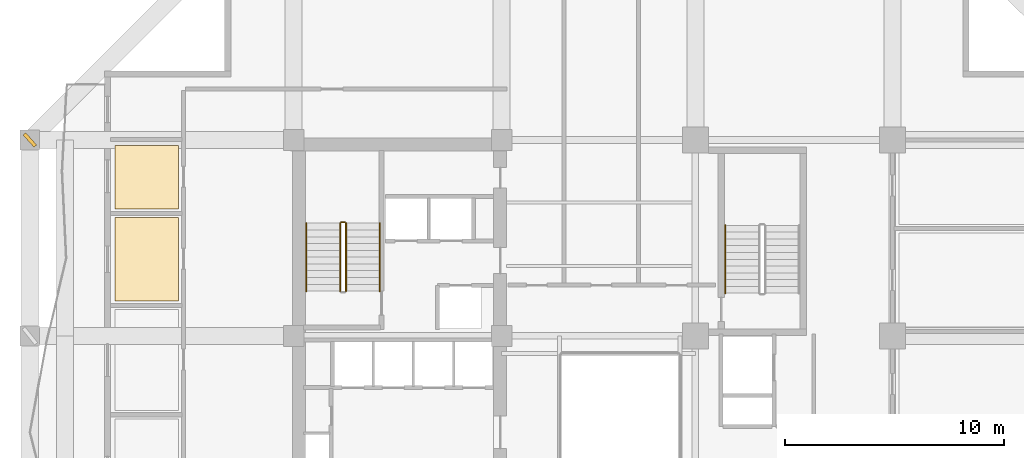
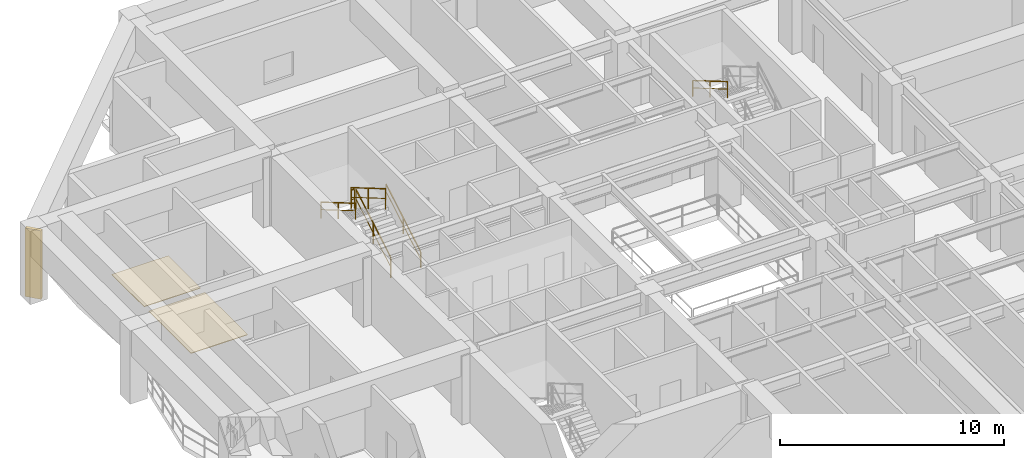
# One storey, part 11 of 13: 6 railings, 2 coverings, 1 shading device.
"""IFC4 building model written with IfcOpenShell, lengths in metres."""

from ifc_helpers import new_model, si_unit, direction, frame, origin, origin_2d, place, context, subcontext, project, spatial, polyline, rectangle, outline, extrude, material, layer, layer_set, type_object, element, save


model = new_model("IFC4")

# Units and contexts
model_context = context("Model", 3, precision=1e-05, world=origin(), true_north=direction((0.0, 1.0)))
body_context = subcontext(model_context, "Body", "Model", "MODEL_VIEW")
ifc_project = project(units=[si_unit("LENGTHUNIT", "METRE"), si_unit("AREAUNIT", "SQUARE_METRE"), si_unit("VOLUMEUNIT", "CUBIC_METRE"), si_unit("PLANEANGLEUNIT", "RADIAN"), si_unit("MASSUNIT", "GRAM", prefix="KILO")], contexts=[model_context])

# Site, building, storey
site_placement = place(None, origin())
site = spatial("IfcSite", under=ifc_project, at=site_placement, CompositionType="ELEMENT")
building_placement = place(site_placement, origin())
building = spatial("IfcBuilding", under=site, at=building_placement, Name="Kundavana Baori Tower", CompositionType="ELEMENT")
storey_placement = place(building_placement, frame((0.0, 0.0, 78.0)))
storey = spatial("IfcBuildingStorey", under=building, at=storey_placement, Name="L18", CompositionType="ELEMENT", Elevation=78.0)

# Coverings
ifc_material_1 = material(Name="Honed Kota Stone and Terrazzo Flooring", Category="masonry")
ifc_layer = layer(ifc_material_1, 0.030029296875, Name="COV-INT-FLR")
ifc_layer_set = layer_set([ifc_layer], Name="Honed Kota Stone and Terrazzo Flooring")
covering_type = type_object("IfcCoveringType", Name="COV-INT-FLR", PredefinedType="FLOORING", material=ifc_layer_set)
covering_1_placement = place(storey_placement, origin())
element("IfcCovering", 1, at=covering_1_placement, inside=storey, type_object=covering_type, Name="L18 Room Finished Stone Flooring 5", PredefinedType="FLOORING", context=body_context, shape_type="SweptSolid", body=[
    extrude(outline(polyline([(7.280029296875, 34.60009765625), (10.199951171875, 34.60009765625), (10.199951171875, 38.39990234375), (7.280029296875, 38.39990234375), (7.280029296875, 34.60009765625)])), origin(), (0.0, 0.0, 1.0), 0.030029296875),
])
covering_2_placement = place(storey_placement, origin())
element("IfcCovering", 2, at=covering_2_placement, inside=storey, type_object=covering_type, Name="L18 Room Finished Stone Flooring 6", PredefinedType="FLOORING", context=body_context, shape_type="SweptSolid", body=[
    extrude(outline(polyline([(7.280029296875, 38.800048828125), (10.199951171875, 38.800048828125), (10.199951171875, 41.699951171875), (7.280029296875, 41.699951171875), (7.280029296875, 38.800048828125)])), origin(), (0.0, 0.0, 1.0), 0.030029296875),
])

# Railings
ifc_material_2 = material(Name="Architectural Patinated Bronze Metalwork")
railing_type_1 = type_object("IfcRailingType", Name="RL-GRD-1150", PredefinedType="GUARDRAIL", material=ifc_material_2)
railing_1_placement = place(storey_placement, frame((17.840087890625, 35.050048828125, 0.181884765625)))
element("IfcRailing", 3, at=railing_1_placement, inside=storey, type_object=railing_type_1, Name="L18 ST2 stair guard 1", PredefinedType="GUARDRAIL", context=body_context, shape_type="SweptSolid", body=[
    extrude(rectangle(XDim=0.048095703125, YDim=0.048095703125, at=origin_2d()), frame((0.0, 0.0, 1.1259765625), z_axis=(0.0, 0.86258143422, 0.50591824373), x_axis=(-1.0, 0.0, 0.0)), (0.0, 0.0, 1.0), 3.59375),
    extrude(rectangle(XDim=0.03125, YDim=0.03125, at=origin_2d()), frame((0.0, 0.0, 0.597900390625), z_axis=(0.0, 0.86258143422, 0.50591824373), x_axis=(-1.0, 0.0, 0.0)), (0.0, 0.0, 1.0), 3.59375),
    extrude(rectangle(XDim=0.0419921875, YDim=0.0419921875, at=origin_2d()), origin(), (0.0, 0.0, 1.0), 1.101806640625),
    extrude(rectangle(XDim=0.0419921875, YDim=0.0419921875, at=origin_2d()), frame((0.0, 1.5498046875, 0.9091796875)), (0.0, 0.0, 1.0), 1.101806640625),
    extrude(rectangle(XDim=0.0419921875, YDim=0.0419921875, at=origin_2d()), frame((0.0, 3.099853515625, 1.818115234375)), (0.0, 0.0, 1.0), 1.101806640625),
])
railing_2_placement = place(storey_placement, frame((17.7900390625, 38.199951171875, 2.0)))
element("IfcRailing", 4, at=railing_2_placement, inside=storey, type_object=railing_type_1, Name="L18 ST2 stair guard 2", PredefinedType="GUARDRAIL", context=body_context, shape_type="SweptSolid", body=[
    extrude(rectangle(XDim=0.048095703125, YDim=0.048095703125, at=origin_2d()), frame((0.0, 0.0, 1.1259765625), z_axis=(-1.0, 0.0, 0.0), x_axis=(0.0, -1.0, 0.0)), (0.0, 0.0, 1.0), 0.16015625),
    extrude(rectangle(XDim=0.03125, YDim=0.03125, at=origin_2d()), frame((0.0, 0.0, 0.597900390625), z_axis=(-1.0, 0.0, 0.0), x_axis=(0.0, -1.0, 0.0)), (0.0, 0.0, 1.0), 0.16015625),
    extrude(rectangle(XDim=0.0419921875, YDim=0.0419921875, at=origin_2d()), origin(), (0.0, 0.0, 1.0), 1.101806640625),
    extrude(rectangle(XDim=0.0419921875, YDim=0.0419921875, at=origin_2d()), frame((-0.16015625, 0.0, 0.0)), (0.0, 0.0, 1.0), 1.101806640625),
])
railing_3_placement = place(storey_placement, frame((17.580078125, 38.14990234375, 2.181884765625)))
element("IfcRailing", 5, at=railing_3_placement, inside=storey, type_object=railing_type_1, Name="L18 ST2 stair guard 3", PredefinedType="GUARDRAIL", context=body_context, shape_type="SweptSolid", body=[
    extrude(rectangle(XDim=0.048095703125, YDim=0.048095703125, at=origin_2d()), frame((0.0, 0.0, 1.1259765625), z_axis=(0.0, -0.86258143422, 0.50591824373), x_axis=(1.0, 0.0, 0.0)), (0.0, 0.0, 1.0), 3.59375),
    extrude(rectangle(XDim=0.03125, YDim=0.03125, at=origin_2d()), frame((0.0, 0.0, 0.597900390625), z_axis=(0.0, -0.86258143422, 0.50591824373), x_axis=(1.0, 0.0, 0.0)), (0.0, 0.0, 1.0), 3.59375),
    extrude(rectangle(XDim=0.0419921875, YDim=0.0419921875, at=origin_2d()), origin(), (0.0, 0.0, 1.0), 1.101806640625),
    extrude(rectangle(XDim=0.0419921875, YDim=0.0419921875, at=origin_2d()), frame((0.0, -1.5498046875, 0.9091796875)), (0.0, 0.0, 1.0), 1.101806640625),
    extrude(rectangle(XDim=0.0419921875, YDim=0.0419921875, at=origin_2d()), frame((0.0, -3.099853515625, 1.818115234375)), (0.0, 0.0, 1.0), 1.101806640625),
])
ifc_material_3 = material(Name="Architectural Patinated Bronze Metalwork")
railing_type_2 = type_object("IfcRailingType", Name="RL-HND-920", PredefinedType="HANDRAIL", material=ifc_material_3)
railing_4_placement = place(storey_placement, frame((19.389892578125, 35.050048828125, 0.181884765625)))
element("IfcRailing", 6, at=railing_4_placement, inside=storey, type_object=railing_type_2, Name="L18 ST2 stair handrail 1", PredefinedType="HANDRAIL", context=body_context, shape_type="SweptSolid", body=[
    extrude(rectangle(XDim=0.048095703125, YDim=0.048095703125, at=origin_2d()), frame((0.0, 0.0, 0.8759765625), z_axis=(0.0, 0.86258143422, 0.50591824373), x_axis=(-1.0, 0.0, 0.0)), (0.0, 0.0, 1.0), 3.59375),
    extrude(rectangle(XDim=0.03125, YDim=0.03125, at=origin_2d()), frame((0.0, 0.0, 0.468017578125), z_axis=(0.0, 0.86258143422, 0.50591824373), x_axis=(-1.0, 0.0, 0.0)), (0.0, 0.0, 1.0), 3.59375),
    extrude(rectangle(XDim=0.0419921875, YDim=0.0419921875, at=origin_2d()), origin(), (0.0, 0.0, 1.0), 0.851806640625),
    extrude(rectangle(XDim=0.0419921875, YDim=0.0419921875, at=origin_2d()), frame((0.0, 1.5498046875, 0.9091796875)), (0.0, 0.0, 1.0), 0.851806640625),
    extrude(rectangle(XDim=0.0419921875, YDim=0.0419921875, at=origin_2d()), frame((0.0, 3.099853515625, 1.818115234375)), (0.0, 0.0, 1.0), 0.851806640625),
])
railing_5_placement = place(storey_placement, frame((16.030029296875, 38.14990234375, 2.181884765625)))
element("IfcRailing", 7, at=railing_5_placement, inside=storey, type_object=railing_type_2, Name="L18 ST2 stair handrail 2", PredefinedType="HANDRAIL", context=body_context, shape_type="SweptSolid", body=[
    extrude(rectangle(XDim=0.048095703125, YDim=0.048095703125, at=origin_2d()), frame((0.0, 0.0, 0.8759765625), z_axis=(0.0, -0.86258143422, 0.50591824373), x_axis=(1.0, 0.0, 0.0)), (0.0, 0.0, 1.0), 3.59375),
    extrude(rectangle(XDim=0.03125, YDim=0.03125, at=origin_2d()), frame((0.0, 0.0, 0.468017578125), z_axis=(0.0, -0.86258143422, 0.50591824373), x_axis=(1.0, 0.0, 0.0)), (0.0, 0.0, 1.0), 3.59375),
    extrude(rectangle(XDim=0.0419921875, YDim=0.0419921875, at=origin_2d()), origin(), (0.0, 0.0, 1.0), 0.851806640625),
    extrude(rectangle(XDim=0.0419921875, YDim=0.0419921875, at=origin_2d()), frame((0.0, -1.5498046875, 0.9091796875)), (0.0, 0.0, 1.0), 0.851806640625),
    extrude(rectangle(XDim=0.0419921875, YDim=0.0419921875, at=origin_2d()), frame((0.0, -3.099853515625, 1.818115234375)), (0.0, 0.0, 1.0), 0.851806640625),
])
railing_6_placement = place(storey_placement, frame((35.169921875, 38.050048828125, 2.181884765625)))
element("IfcRailing", 8, at=railing_6_placement, inside=storey, type_object=railing_type_2, Name="L18 ST3 stair handrail 2", PredefinedType="HANDRAIL", context=body_context, shape_type="SweptSolid", body=[
    extrude(rectangle(XDim=0.048095703125, YDim=0.048095703125, at=origin_2d()), frame((0.0, 0.0, 0.8759765625), z_axis=(0.0, -0.862598821094, 0.505888598258), x_axis=(1.0, 0.0, 0.0)), (0.0, 0.0, 1.0), 3.593994140625),
    extrude(rectangle(XDim=0.03125, YDim=0.03125, at=origin_2d()), frame((0.0, 0.0, 0.468017578125), z_axis=(0.0, -0.862598821094, 0.505888598258), x_axis=(1.0, 0.0, 0.0)), (0.0, 0.0, 1.0), 3.593994140625),
    extrude(rectangle(XDim=0.0419921875, YDim=0.0419921875, at=origin_2d()), origin(), (0.0, 0.0, 1.0), 0.851806640625),
    extrude(rectangle(XDim=0.0419921875, YDim=0.0419921875, at=origin_2d()), frame((0.0, -1.550048828125, 0.9091796875)), (0.0, 0.0, 1.0), 0.851806640625),
    extrude(rectangle(XDim=0.0419921875, YDim=0.0419921875, at=origin_2d()), frame((0.0, -3.10009765625, 1.818115234375)), (0.0, 0.0, 1.0), 0.851806640625),
])

# Shading device
ifc_material_4 = material(Name="Red-Buff Dholpur Sandstone Cladding on Concrete C40/50", Category="masonry")
shading_device_type = type_object("IfcShadingDeviceType", Name="SHD-FIN-750", PredefinedType="JALOUSIE", material=ifc_material_4)
shading_device_placement = place(storey_placement, frame((3.39990234375, 41.949951171875, 0.0), z_axis=(0.0, 0.0, 1.0), x_axis=(0.744661120495, 0.66744274333, 0.0)))
element("IfcShadingDevice", 9, at=shading_device_placement, inside=storey, type_object=shading_device_type, Name="L18 Sweeping Dholpur Sandstone Facade Fin 8", PredefinedType="JALOUSIE", context=body_context, shape_type="SweptSolid", body=[
    extrude(rectangle(XDim=0.159912109375, YDim=0.75, at=origin_2d()), origin(), (0.0, 0.0, 1.0), 3.739990234375),
])

save(model, "model.ifc")
